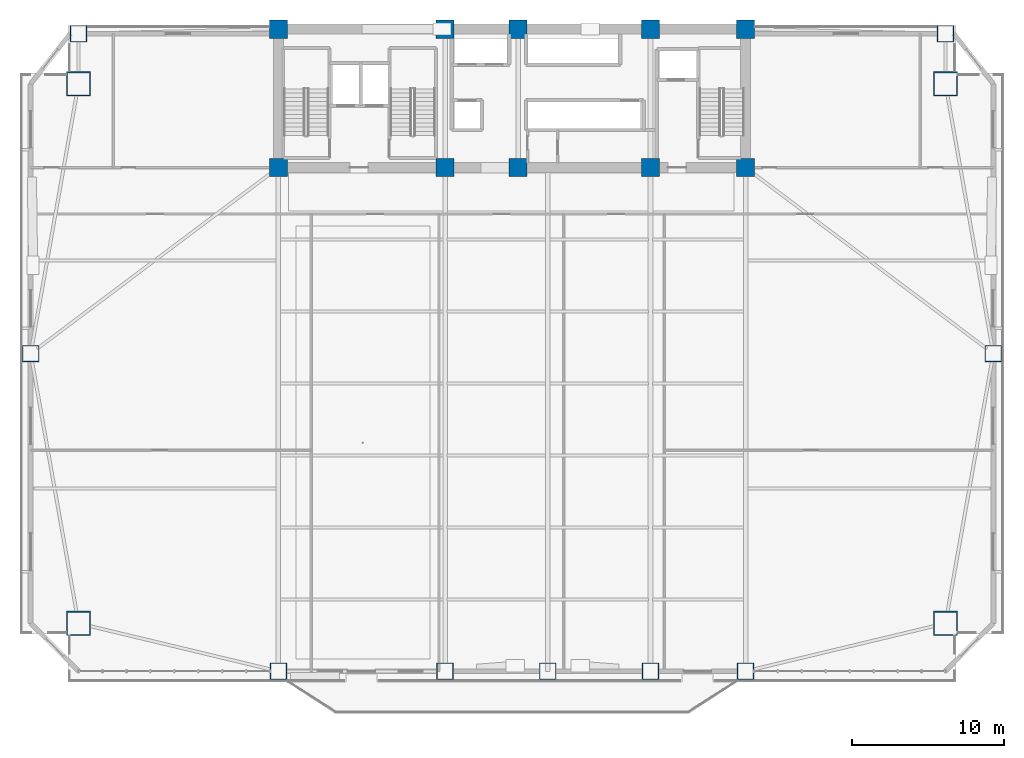
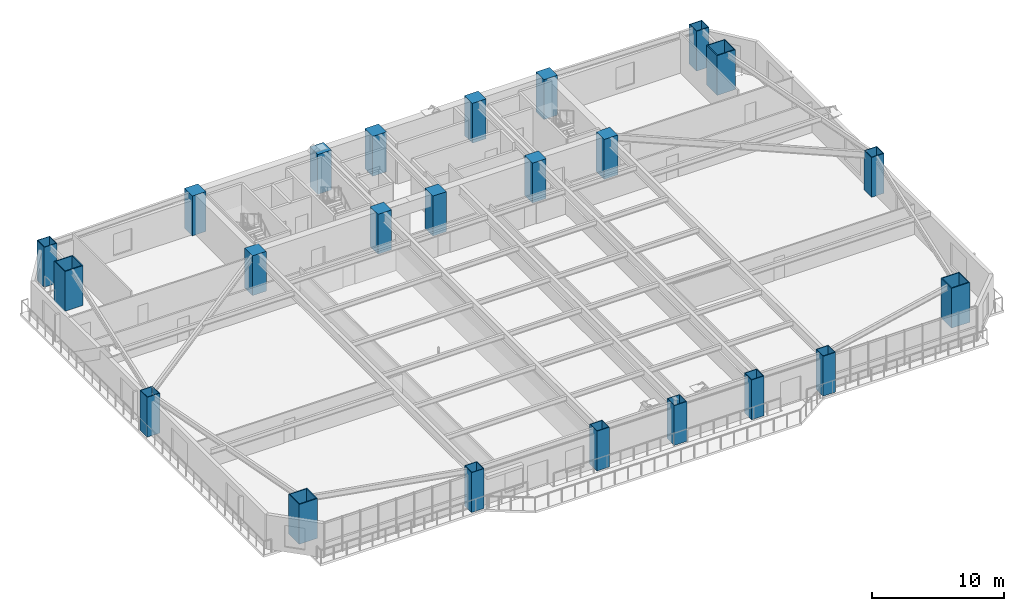
# One storey, part 1 of 17: 23 columns.
"""IFC4 building model written with IfcOpenShell, lengths in metres."""

from ifc_helpers import new_model, si_unit, direction, frame, origin, origin_2d, place, context, subcontext, project, spatial, rectangle, hollow_rectangle, extrude, source, transform, mapped, material, material_profile, profile_set, type_object, element, save


model = new_model("IFC4")

# Units and contexts
model_context = context("Model", 3, precision=1e-05, world=origin(), true_north=direction((0.0, 1.0)))
body_context = subcontext(model_context, "Body", "Model", "MODEL_VIEW")
ifc_project = project(units=[si_unit("LENGTHUNIT", "METRE"), si_unit("AREAUNIT", "SQUARE_METRE"), si_unit("VOLUMEUNIT", "CUBIC_METRE"), si_unit("PLANEANGLEUNIT", "RADIAN"), si_unit("MASSUNIT", "GRAM", prefix="KILO")], contexts=[model_context])

# Site, building, storey
site_placement = place(None, origin())
site = spatial("IfcSite", under=ifc_project, at=site_placement, CompositionType="ELEMENT")
building_placement = place(site_placement, origin())
building = spatial("IfcBuilding", under=site, at=building_placement, Name="Giltprow Tower", CompositionType="ELEMENT")
storey_placement = place(building_placement, frame((0.0, 0.0, 53.300048828125)))
storey = spatial("IfcBuildingStorey", under=building, at=storey_placement, Name="L13", CompositionType="ELEMENT", Elevation=53.300048828125)

# Columns
ifc_material_1 = material(Name="Concrete C60", Category="concrete")
ifc_material_profile_1 = material_profile(ifc_material_1, rectangle(XDim=1.199951171875, YDim=1.199951171875, at=origin_2d()), Name="RC 1200x1200")
ifc_profile_set_1 = profile_set([ifc_material_profile_1], Name="Concrete C60")
column_type_1 = type_object("IfcColumnType", Name="PIL-RC-1200-C60", PredefinedType="PILASTER", material=ifc_profile_set_1)
shared_shape_1 = source(origin(), body_context, "Body", "SweptSolid", [
    extrude(rectangle(XDim=1.199951171875, YDim=1.199951171875, at=origin_2d()), origin(), (0.0, 0.0, 1.0), 3.679931640625),
])
for number, where, z_axis, x_axis, name in (
    (1, (19.85009765625, 37.449951171875, 0.0), (0.0, 0.0, 1.0), (1.0, 0.0, 0.0), "L13 Core Boundary Pilaster 1-1"),
    (2, (19.85009765625, 46.550048828125, 0.0), (0.0, 0.0, 1.0), (1.0, 0.0, 0.0), "L13 Core Boundary Pilaster 1-2"),
    (3, (30.800048828125, 37.449951171875, 0.0), (0.0, 0.0, 1.0), (1.0, 0.0, 0.0), "L13 Core Boundary Pilaster 2-1"),
    (4, (30.800048828125, 46.550048828125, 0.0), (0.0, 0.0, 1.0), (1.0, 0.0, 0.0), "L13 Core Boundary Pilaster 2-2"),
    (5, (35.60009765625, 37.449951171875, 0.0), (0.0, 0.0, 1.0), (1.0, 0.0, 0.0), "L13 Core Boundary Pilaster 3-1"),
    (6, (35.60009765625, 46.550048828125, 0.0), (0.0, 0.0, 1.0), (1.0, 0.0, 0.0), "L13 Core Boundary Pilaster 3-2"),
    (7, (44.300048828125, 37.449951171875, 0.0), (0.0, 0.0, 1.0), (1.0, 0.0, 0.0), "L13 Core Boundary Pilaster 4-1"),
    (8, (44.300048828125, 46.550048828125, 0.0), (0.0, 0.0, 1.0), (1.0, 0.0, 0.0), "L13 Core Boundary Pilaster 4-2"),
    (9, (50.550048828125, 37.449951171875, 0.0), (0.0, 0.0, 1.0), (1.0, 0.0, 0.0), "L13 Core Boundary Pilaster 5-1"),
    (10, (50.550048828125, 46.550048828125, 0.0), (0.0, 0.0, 1.0), (1.0, 0.0, 0.0), "L13 Core Boundary Pilaster 5-2"),
):
    element("IfcColumn", number, at=place(storey_placement, frame(where, z_axis=z_axis, x_axis=x_axis)), inside=storey, type_object=column_type_1, Name=name, PredefinedType="PILASTER", context=body_context, shape_type="MappedRepresentation", body=[
        mapped(shared_shape_1, transform((0.0, 0.0, 0.0), x_axis=(1.0, 0.0, 0.0), y_axis=(0.0, 1.0, 0.0), z_axis=(0.0, 0.0, 1.0), scale=1.0)),
    ])
ifc_material_2 = material(Name="Structural steel Q420GJC", Category="steel")
ifc_material_profile_2 = material_profile(ifc_material_2, hollow_rectangle(XDim=1.60009765625, YDim=1.60009765625, WallThickness=0.074951171875, at=origin_2d()), Name="BOX 1600x1600x75")
ifc_profile_set_2 = profile_set([ifc_material_profile_2], Name="Structural steel Q420GJC")
column_type_2 = type_object("IfcColumnType", Name="COL-BOX-1600x1600x75", PredefinedType="COLUMN", material=ifc_profile_set_2)
shared_shape_2 = source(origin(), body_context, "Body", "SweptSolid", [
    extrude(hollow_rectangle(XDim=1.60009765625, YDim=1.60009765625, WallThickness=0.074951171875, at=origin_2d()), origin(), (0.0, 0.0, 1.0), 3.679931640625),
])
for number, where, z_axis, x_axis, name in (
    (11, (6.718017578125, 7.501953125, 0.0), (0.0, 0.0, 1.0), (1.0, 0.0, 0.0), "L13 Mega-Column MC_SW"),
    (12, (63.681884765625, 7.501953125, 0.0), (0.0, 0.0, 1.0), (1.0, 0.0, 0.0), "L13 Mega-Column MC_SE"),
    (13, (6.718017578125, 42.951904296875, 0.0), (0.0, 0.0, 1.0), (1.0, 0.0, 0.0), "L13 Mega-Column MC_NW"),
    (14, (63.681884765625, 42.951904296875, 0.0), (0.0, 0.0, 1.0), (1.0, 0.0, 0.0), "L13 Mega-Column MC_NE"),
):
    element("IfcColumn", number, at=place(storey_placement, frame(where, z_axis=z_axis, x_axis=x_axis)), inside=storey, type_object=column_type_2, Name=name, PredefinedType="COLUMN", context=body_context, shape_type="MappedRepresentation", body=[
        mapped(shared_shape_2, transform((0.0, 0.0, 0.0), x_axis=(1.0, 0.0, 0.0), y_axis=(0.0, 1.0, 0.0), z_axis=(0.0, 0.0, 1.0), scale=1.0)),
    ])
ifc_material_profile_3 = material_profile(ifc_material_2, hollow_rectangle(XDim=1.10009765625, YDim=1.10009765625, WallThickness=0.050048828125, at=origin_2d()), Name="BOX 1100x1100x50")
ifc_profile_set_3 = profile_set([ifc_material_profile_3], Name="Structural steel Q420GJC")
column_type_3 = type_object("IfcColumnType", Name="COL-BOX-1100x1100x50", PredefinedType="COLUMN", material=ifc_profile_set_3)
shared_shape_3 = source(origin(), body_context, "Body", "SweptSolid", [
    extrude(hollow_rectangle(XDim=1.10009765625, YDim=1.10009765625, WallThickness=0.050048828125, at=origin_2d()), origin(), (0.0, 0.0, 1.0), 3.679931640625),
])
for number, where, z_axis, x_axis, name in (
    (15, (19.85009765625, 4.35400390625, 0.0), (0.0, 0.0, 1.0), (1.0, 0.0, 0.0), "L13 Perimeter Column S1"),
    (16, (30.800048828125, 4.35400390625, 0.0), (0.0, 0.0, 1.0), (1.0, 0.0, 0.0), "L13 Perimeter Column S2"),
    (17, (37.550048828125, 4.35400390625, 0.0), (0.0, 0.0, 1.0), (1.0, 0.0, 0.0), "L13 Perimeter Column S_MID"),
    (18, (44.300048828125, 4.35400390625, 0.0), (0.0, 0.0, 1.0), (1.0, 0.0, 0.0), "L13 Perimeter Column S3"),
    (19, (50.550048828125, 4.35400390625, 0.0), (0.0, 0.0, 1.0), (1.0, 0.0, 0.0), "L13 Perimeter Column S4"),
    (20, (3.570068359375, 25.22705078125, 0.0), (0.0, 0.0, 1.0), (1.0, 0.0, 0.0), "L13 Perimeter Column W_MID"),
    (21, (66.830078125, 25.22705078125, 0.0), (0.0, 0.0, 1.0), (1.0, 0.0, 0.0), "L13 Perimeter Column E_MID"),
    (22, (6.718017578125, 46.25, 0.0), (0.0, 0.0, 1.0), (1.0, 0.0, 0.0), "L13 Perimeter Column N_W"),
    (23, (63.681884765625, 46.25, 0.0), (0.0, 0.0, 1.0), (1.0, 0.0, 0.0), "L13 Perimeter Column N_E"),
):
    element("IfcColumn", number, at=place(storey_placement, frame(where, z_axis=z_axis, x_axis=x_axis)), inside=storey, type_object=column_type_3, Name=name, PredefinedType="COLUMN", context=body_context, shape_type="MappedRepresentation", body=[
        mapped(shared_shape_3, transform((0.0, 0.0, 0.0), x_axis=(1.0, 0.0, 0.0), y_axis=(0.0, 1.0, 0.0), z_axis=(0.0, 0.0, 1.0), scale=1.0)),
    ])

save(model, "model.ifc")
